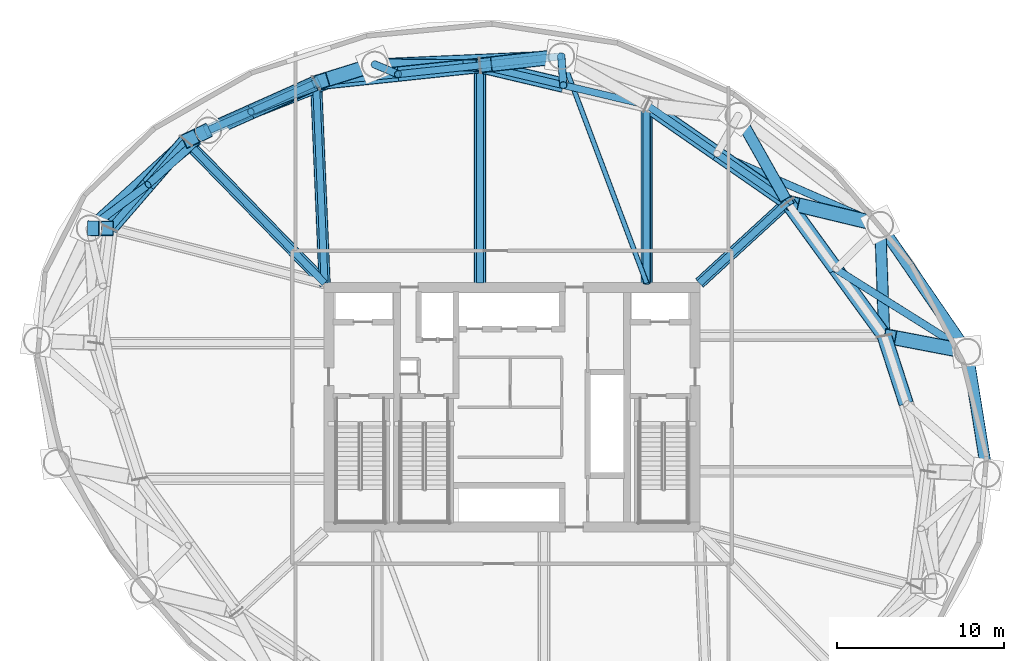
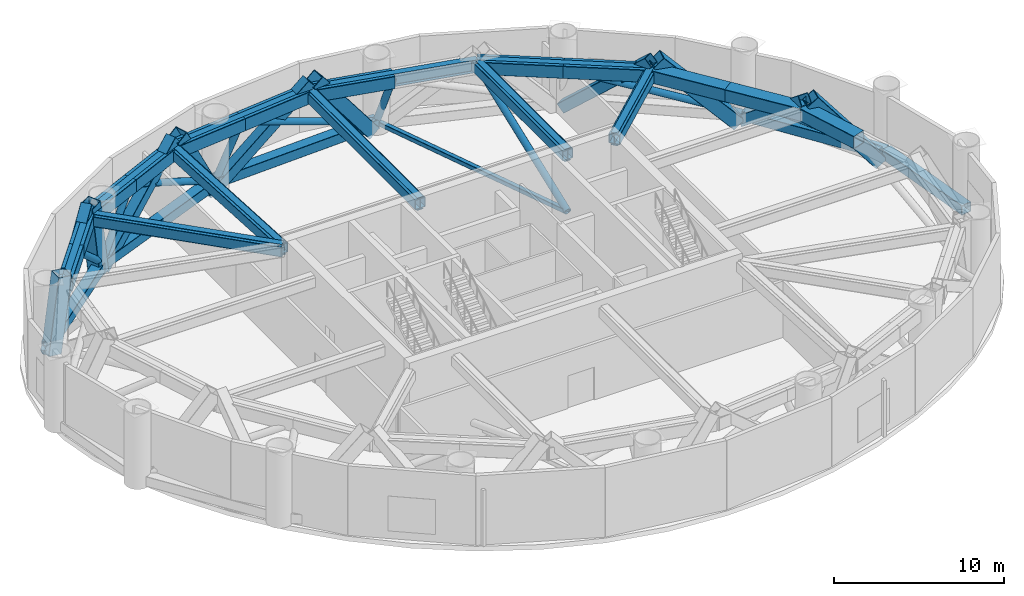
# One storey, part 3 of 13: 44 members, 10 beams.
"""IFC4 building model written with IfcOpenShell, lengths in metres."""

import ifcopenshell
import ifcopenshell.guid

model = None  # the IFC model being written
_history = None  # IfcOwnerHistory: only IFC2X3 demands one
_inside = {}  # id of a spatial element -> (the spatial element, [elements in it])
_under = {}  # id of a project, library or spatial element -> (it, [spatial elements below it])
_declared = {}  # id of a project -> (the project, [libraries it declares])
_typed = {}  # id of a type object -> (the type object, [elements of that type])
_made_of = {}  # id of a material, layer set ... -> (it, [elements and type objects made of it])


def new_model(schema):
    """Start an empty IFC model of exactly this schema.

    Asked for "IFC4X3", IfcOpenShell would pick the latest addendum, in which some entities
    have other attributes; the version numbers below select the first issue.
    IFC2X3 requires an IfcOwnerHistory on every rooted entity: one is made here for all.
    """
    global model, _history
    if schema == "IFC4X3":
        model = ifcopenshell.file(schema_version=(4, 3, 0, 0))
    else:
        model = ifcopenshell.file(schema=schema)
    _inside.clear()
    _under.clear()
    _declared.clear()
    _typed.clear()
    _made_of.clear()
    _history = None
    if model.schema == "IFC2X3":
        org = make("IfcOrganization", Name="unknown")
        user = make(
            "IfcPersonAndOrganization",
            ThePerson=make("IfcPerson", FamilyName="unknown"),
            TheOrganization=org,
        )
        app = make(
            "IfcApplication",
            ApplicationDeveloper=org,
            Version="unknown",
            ApplicationFullName="unknown",
            ApplicationIdentifier="unknown",
        )
        _history = make(
            "IfcOwnerHistory",
            OwningUser=user,
            OwningApplication=app,
            ChangeAction="ADDED",
            CreationDate=0,
        )
    return model


def make(cls, **values):
    """One entity of the class cls with the attributes given. An attribute that is None is left unset."""
    return model.create_entity(
        cls, **{name: value for name, value in values.items() if value is not None}
    )


def rooted(cls, **values):
    """An entity with a GlobalId (a new one), such as an element, a storey or a relation."""
    return make(cls, GlobalId=ifcopenshell.guid.new(), OwnerHistory=_history, **values)


def si_unit(unit_type, name, prefix=None):
    """IfcSIUnit, for example si_unit("LENGTHUNIT", "METRE", prefix="MILLI")."""
    return make("IfcSIUnit", UnitType=unit_type, Prefix=prefix, Name=name)


def assignment(units):
    """IfcUnitAssignment: the units of a project."""
    return None if units is None else make("IfcUnitAssignment", Units=units)


def point(xyz):
    """IfcCartesianPoint."""
    return None if xyz is None else make("IfcCartesianPoint", Coordinates=xyz)


def direction(xyz):
    """IfcDirection."""
    return None if xyz is None else make("IfcDirection", DirectionRatios=xyz)


def frame(location, z_axis=None, x_axis=None):
    """IfcAxis2Placement3D, a coordinate frame: its origin and axes. An axis left out is left unset."""
    return make(
        "IfcAxis2Placement3D",
        Location=point(location),
        Axis=direction(z_axis),
        RefDirection=direction(x_axis),
    )


def frame_2d(location, x_axis=None):
    """IfcAxis2Placement2D, a coordinate frame in the plane: its origin and x axis."""
    return make(
        "IfcAxis2Placement2D", Location=point(location), RefDirection=direction(x_axis)
    )


def origin():
    """The frame at (0, 0, 0) with its axes left unset."""
    return frame((0.0, 0.0, 0.0))


def origin_2d():
    """The frame at (0, 0) in the plane with its x axis left unset."""
    return frame_2d((0.0, 0.0))


def place(relative_to, where):
    """IfcLocalPlacement: puts the frame where relative to a parent placement (None: the world)."""
    return make(
        "IfcLocalPlacement", PlacementRelTo=relative_to, RelativePlacement=where
    )


def context(
    kind, dimensions, precision=None, world=None, true_north=None, identifier=None
):
    """IfcGeometricRepresentationContext, for example the 3D "Model" context."""
    return make(
        "IfcGeometricRepresentationContext",
        ContextIdentifier=identifier,
        ContextType=kind,
        CoordinateSpaceDimension=dimensions,
        Precision=precision,
        WorldCoordinateSystem=world,
        TrueNorth=true_north,
    )


def subcontext(parent, identifier, kind, view, scale=None):
    """IfcGeometricRepresentationSubContext, for example "Body" below "Model"."""
    return make(
        "IfcGeometricRepresentationSubContext",
        ContextIdentifier=identifier,
        ContextType=kind,
        ParentContext=parent,
        TargetScale=scale,
        TargetView=view,
    )


def project(units=None, contexts=None):
    """IfcProject with its units and contexts."""
    return rooted(
        "IfcProject",
        Name="project",
        RepresentationContexts=contexts,
        UnitsInContext=assignment(units),
    )


def spatial(cls, under=None, at=None, **own):
    """A site, building, storey or space (cls), placed at a placement, below another one or the project."""
    s = rooted(cls, ObjectPlacement=at, **own)
    if under is not None:
        _under.setdefault(under.id(), (under, []))[1].append(s)
    return s


def profile(cls, at=None, kind="AREA", **sizes):
    """A parametric profile (cls). Its sizes go by their IFC names, for example OverallWidth=200.0."""
    return make(cls, ProfileType=kind, Position=at, **sizes)


def hollow_rectangle(**sizes):
    """IfcRectangleHollowProfileDef."""
    return profile("IfcRectangleHollowProfileDef", **sizes)


def hollow_circle(**sizes):
    """IfcCircleHollowProfileDef."""
    return profile("IfcCircleHollowProfileDef", **sizes)


def i_section(**sizes):
    """IfcIShapeProfileDef."""
    return profile("IfcIShapeProfileDef", **sizes)


def extrude(swept, where, along, depth):
    """IfcExtrudedAreaSolid: the profile swept, set in the frame where, extruded along a direction by depth."""
    return make(
        "IfcExtrudedAreaSolid",
        SweptArea=swept,
        Position=where,
        ExtrudedDirection=direction(along),
        Depth=depth,
    )


def shape(context_of_items, identifier, shape_type, items):
    """IfcShapeRepresentation: the items that make up one representation, for example the "Body"."""
    return make(
        "IfcShapeRepresentation",
        ContextOfItems=context_of_items,
        RepresentationIdentifier=identifier,
        RepresentationType=shape_type,
        Items=items,
    )


def material(Name=None, Category=None):
    """IfcMaterial."""
    return make("IfcMaterial", Name=Name, Category=Category)


def material_profile(
    of_material, cross_section, Name=None, Category=None, Priority=None
):
    """IfcMaterialProfile: a cross section and its material."""
    return make(
        "IfcMaterialProfile",
        Name=Name,
        Material=of_material,
        Profile=cross_section,
        Priority=Priority,
        Category=Category,
    )


def profile_set(profiles, Name=None, composite=None):
    """IfcMaterialProfileSet."""
    return make(
        "IfcMaterialProfileSet",
        Name=Name,
        MaterialProfiles=profiles,
        CompositeProfile=composite,
    )


def made_of(thing, what):
    """Note that an element or type object is made of a material, layer set ...; save() writes the relation."""
    if what is not None:
        _made_of.setdefault(what.id(), (what, []))[1].append(thing)
    return thing


def type_object(cls, material=None, **own):
    """A type object (cls), such as IfcWallType, which elements share."""
    return made_of(rooted(cls, **own), material)


def element(
    cls,
    number,
    at=None,
    inside=None,
    cuts=None,
    type_object=None,
    material=None,
    context=None,
    identifier="Body",
    shape_type=None,
    held_by="IfcProductDefinitionShape",
    body=None,
    shapes=None,
    **own,
):
    """One element of the class cls, such as IfcWall. Its Tag is "e" and its number.

    at: its placement. inside: the storey or other place that contains it. cuts: it is an
    opening in that element (IfcRelVoidsElement). A single representation is given by context,
    identifier, shape_type and body (its items); several are given by shapes. held_by: the class
    of the entity that holds the representations. save() writes the other relations.
    """
    e = rooted(cls, Tag="e%d" % number, ObjectPlacement=at, **own)
    if body is not None:
        shapes = [shape(context, identifier, shape_type, body)]
    if shapes is not None:
        e.Representation = make(held_by, Representations=shapes)
    if inside is not None:
        _inside.setdefault(inside.id(), (inside, []))[1].append(e)
    if cuts is not None:
        rooted(
            "IfcRelVoidsElement", RelatingBuildingElement=cuts, RelatedOpeningElement=e
        )
    if type_object is not None:
        _typed.setdefault(type_object.id(), (type_object, []))[1].append(e)
    return made_of(e, material)


def aggregate(whole, parts):
    """IfcRelAggregates: a whole, such as a stair, and the parts it consists of."""
    return rooted("IfcRelAggregates", RelatingObject=whole, RelatedObjects=parts)


def save(model, path):
    """Write the relations noted so far, then the file.

    IfcRelAggregates (storeys below a building ...), IfcRelContainedInSpatialStructure (elements
    in a storey), IfcRelDefinesByType, IfcRelAssociatesMaterial and IfcRelDeclares: one each for
    every whole, place, type object, material and project.
    """
    for whole, parts in _under.values():
        aggregate(whole, parts)
    for where, things in _inside.values():
        rooted(
            "IfcRelContainedInSpatialStructure",
            RelatedElements=things,
            RelatingStructure=where,
        )
    for kind, things in _typed.values():
        rooted("IfcRelDefinesByType", RelatedObjects=things, RelatingType=kind)
    for what, things in _made_of.values():
        rooted("IfcRelAssociatesMaterial", RelatedObjects=things, RelatingMaterial=what)
    for by, libraries in _declared.values():
        rooted("IfcRelDeclares", RelatingContext=by, RelatedDefinitions=libraries)
    model.write(path)


model = new_model("IFC4")

# Units and contexts
model_context = context("Model", 3, precision=1e-05, world=origin(), true_north=direction((0.0, 1.0)))
body_context = subcontext(model_context, "Body", "Model", "MODEL_VIEW")
ifc_project = project(units=[si_unit("LENGTHUNIT", "METRE"), si_unit("AREAUNIT", "SQUARE_METRE"), si_unit("VOLUMEUNIT", "CUBIC_METRE"), si_unit("PLANEANGLEUNIT", "RADIAN"), si_unit("MASSUNIT", "GRAM", prefix="KILO")], contexts=[model_context])

# Site, building, storey
site_placement = place(None, origin())
site = spatial("IfcSite", under=ifc_project, at=site_placement, CompositionType="ELEMENT")
building_placement = place(site_placement, origin())
building = spatial("IfcBuilding", under=site, at=building_placement, Name="Bramvorn Convention Spire", CompositionType="ELEMENT")
storey_placement = place(building_placement, frame((0.0, 0.0, 97.39990234375)))
storey = spatial("IfcBuildingStorey", under=building, at=storey_placement, Name="L23", CompositionType="ELEMENT", Elevation=97.39990234375)

# Beams
ifc_material = material(Name="Steel CSA G40.21 Grade 350 (350W)", Category="steel")
ifc_material_profile_1 = material_profile(ifc_material, i_section(OverallWidth=0.41796875, OverallDepth=0.912109375, WebThickness=0.019287109375, FlangeThickness=0.031982421875, FilletRadius=0.02392578125, at=origin_2d()))
ifc_profile_set_1 = profile_set([ifc_material_profile_1], Name="Steel CSA G40.21 Grade 350 (350W) - W920X342")
beam_type = type_object("IfcBeamType", Name="BM-W920X342", PredefinedType="BEAM", material=ifc_profile_set_1)
beam_1_placement = place(storey_placement, frame((54.534912109375, 38.299072265625, 4.524169921875), z_axis=(-0.822033166673, 0.569439613032, 0.0), x_axis=(-0.569439613032, -0.822033166673, 0.0)))
element("IfcBeam", 1, at=beam_1_placement, inside=storey, type_object=beam_type, Name="L23 step-in transfer ring girder 04", PredefinedType="BEAM", context=body_context, shape_type="SweptSolid", body=[
    extrude(i_section(OverallWidth=0.41796875, OverallDepth=0.912109375, WebThickness=0.019287109375, FlangeThickness=0.031982421875, FilletRadius=0.02392578125, at=origin_2d()), origin(), (0.0, 0.0, 1.0), 10.281982421875),
])
beam_2_placement = place(storey_placement, frame((49.25, 33.449951171875, 4.524169921875), z_axis=(0.736833323746, 0.676074443399, 0.0), x_axis=(-0.676074443399, 0.736833323746, 0.0)))
element("IfcBeam", 2, at=beam_2_placement, inside=storey, type_object=beam_type, Name="L23 step-in radial transfer girder MC04", PredefinedType="BEAM", context=body_context, shape_type="SweptSolid", body=[
    extrude(i_section(OverallWidth=0.41796875, OverallDepth=0.912109375, WebThickness=0.019287109375, FlangeThickness=0.031982421875, FilletRadius=0.02392578125, at=origin_2d()), origin(), (0.0, 0.0, 1.0), 7.17236328125),
])
beam_3_placement = place(storey_placement, frame((46.082763671875, 44.154052734375, 4.524169921875), z_axis=(-0.97322750491, 0.229843911572, 0.0), x_axis=(-0.229843911572, -0.97322750491, 0.0)))
element("IfcBeam", 3, at=beam_3_placement, inside=storey, type_object=beam_type, Name="L23 step-in transfer ring girder 05", PredefinedType="BEAM", context=body_context, shape_type="SweptSolid", body=[
    extrude(i_section(OverallWidth=0.41796875, OverallDepth=0.912109375, WebThickness=0.019287109375, FlangeThickness=0.031982421875, FilletRadius=0.02392578125, at=origin_2d()), origin(), (0.0, 0.0, 1.0), 10.2822265625),
])
beam_4_placement = place(storey_placement, frame((46.082763671875, 33.449951171875, 4.524169921875), z_axis=(0.0, 1.0, 0.0), x_axis=(-1.0, 0.0, 0.0)))
element("IfcBeam", 4, at=beam_4_placement, inside=storey, type_object=beam_type, Name="L23 step-in radial transfer girder MC05", PredefinedType="BEAM", context=body_context, shape_type="SweptSolid", body=[
    extrude(i_section(OverallWidth=0.41796875, OverallDepth=0.912109375, WebThickness=0.019287109375, FlangeThickness=0.031982421875, FilletRadius=0.02392578125, at=origin_2d()), origin(), (0.0, 0.0, 1.0), 10.7041015625),
])
beam_5_placement = place(storey_placement, frame((36.075927734375, 46.517333984375, 4.524169921875), z_axis=(-0.994473491975, -0.104987969596, 0.0), x_axis=(0.104987969596, -0.994473491975, 0.0)))
element("IfcBeam", 5, at=beam_5_placement, inside=storey, type_object=beam_type, Name="L23 step-in transfer ring girder 06", PredefinedType="BEAM", context=body_context, shape_type="SweptSolid", body=[
    extrude(i_section(OverallWidth=0.41796875, OverallDepth=0.912109375, WebThickness=0.019287109375, FlangeThickness=0.031982421875, FilletRadius=0.02392578125, at=origin_2d()), origin(), (0.0, 0.0, 1.0), 9.892333984375),
])
beam_6_placement = place(storey_placement, frame((36.075927734375, 33.449951171875, 4.524169921875), z_axis=(0.0, 1.0, 0.0), x_axis=(-1.0, 0.0, 0.0)))
element("IfcBeam", 6, at=beam_6_placement, inside=storey, type_object=beam_type, Name="L23 step-in radial transfer girder MC06", PredefinedType="BEAM", context=body_context, shape_type="SweptSolid", body=[
    extrude(i_section(OverallWidth=0.41796875, OverallDepth=0.912109375, WebThickness=0.019287109375, FlangeThickness=0.031982421875, FilletRadius=0.02392578125, at=origin_2d()), origin(), (0.0, 0.0, 1.0), 13.0673828125),
])
beam_7_placement = place(storey_placement, frame((26.23828125, 45.478759765625, 4.524169921875), z_axis=(-0.913169534701, -0.407579931908, 0.0), x_axis=(0.407579931908, -0.913169534701, 0.0)))
element("IfcBeam", 7, at=beam_7_placement, inside=storey, type_object=beam_type, Name="L23 step-in transfer ring girder 07", PredefinedType="BEAM", context=body_context, shape_type="SweptSolid", body=[
    extrude(i_section(OverallWidth=0.41796875, OverallDepth=0.912109375, WebThickness=0.019287109375, FlangeThickness=0.031982421875, FilletRadius=0.02392578125, at=origin_2d()), origin(), (0.0, 0.0, 1.0), 8.5615234375),
])
beam_8_placement = place(storey_placement, frame((26.75, 33.449951171875, 4.524169921875), z_axis=(-0.042502657955, 0.999096353745, 0.0), x_axis=(-0.999096353745, -0.042502657955, 0.0)))
element("IfcBeam", 8, at=beam_8_placement, inside=storey, type_object=beam_type, Name="L23 step-in radial transfer girder MC07", PredefinedType="BEAM", context=body_context, shape_type="SweptSolid", body=[
    extrude(i_section(OverallWidth=0.41796875, OverallDepth=0.912109375, WebThickness=0.019287109375, FlangeThickness=0.031982421875, FilletRadius=0.02392578125, at=origin_2d()), origin(), (0.0, 0.0, 1.0), 12.039794921875),
])
beam_9_placement = place(storey_placement, frame((18.420166015625, 41.9892578125, 4.524169921875), z_axis=(-0.653824993824, -0.756645807132, 0.0), x_axis=(0.756645807132, -0.653824993824, 0.0)))
element("IfcBeam", 9, at=beam_9_placement, inside=storey, type_object=beam_type, Name="L23 step-in transfer ring girder 08", PredefinedType="BEAM", context=body_context, shape_type="SweptSolid", body=[
    extrude(i_section(OverallWidth=0.41796875, OverallDepth=0.912109375, WebThickness=0.019287109375, FlangeThickness=0.031982421875, FilletRadius=0.02392578125, at=origin_2d()), origin(), (0.0, 0.0, 1.0), 6.9404296875),
])
beam_10_placement = place(storey_placement, frame((26.75, 33.449951171875, 4.524169921875), z_axis=(-0.698272445638, 0.715832097397, 0.0), x_axis=(-0.715832097397, -0.698272445638, 0.0)))
element("IfcBeam", 10, at=beam_10_placement, inside=storey, type_object=beam_type, Name="L23 step-in radial transfer girder MC08", PredefinedType="BEAM", context=body_context, shape_type="SweptSolid", body=[
    extrude(i_section(OverallWidth=0.41796875, OverallDepth=0.912109375, WebThickness=0.019287109375, FlangeThickness=0.031982421875, FilletRadius=0.02392578125, at=origin_2d()), origin(), (0.0, 0.0, 1.0), 11.92919921875),
])

# Members
ifc_material_profile_2 = material_profile(ifc_material, hollow_rectangle(XDim=0.699951171875, YDim=0.699951171875, WallThickness=0.034912109375, InnerFilletRadius=0.0009765625, OuterFilletRadius=0.034912109375, at=origin_2d()))
ifc_profile_set_2 = profile_set([ifc_material_profile_2], Name="Steel CSA G40.21 Grade 350 (350W) - BOX700X700X35")
member_type_1 = type_object("IfcMemberType", Name="MBR-BOX700X700X35", PredefinedType="CHORD", material=ifc_profile_set_2)
member_1_placement = place(storey_placement, frame((66.519775390625, 21.99169921875, 0.4501953125), z_axis=(-0.158699222824, 0.987326975563, 0.0), x_axis=(-0.987326975563, -0.158699222824, 0.0)))
element("IfcMember", 11, at=member_1_placement, inside=storey, type_object=member_type_1, Name="L23 belt truss bottom chord 1", PredefinedType="CHORD", context=body_context, shape_type="SweptSolid", body=[
    extrude(hollow_rectangle(XDim=0.699951171875, YDim=0.699951171875, WallThickness=0.034912109375, InnerFilletRadius=0.0009765625, OuterFilletRadius=0.034912109375, at=origin_2d()), origin(), (0.0, 0.0, 1.0), 7.442626953125),
])
member_2_placement = place(storey_placement, frame((65.338623046875, 29.340087890625, 0.4501953125), z_axis=(-0.566129730789, 0.824316157743, 0.0), x_axis=(-0.824316157743, -0.566129730789, 0.0)))
element("IfcMember", 12, at=member_2_placement, inside=storey, type_object=member_type_1, Name="L23 belt truss bottom chord 2", PredefinedType="CHORD", context=body_context, shape_type="SweptSolid", body=[
    extrude(hollow_rectangle(XDim=0.699951171875, YDim=0.699951171875, WallThickness=0.034912109375, InnerFilletRadius=0.0009765625, OuterFilletRadius=0.034912109375, at=origin_2d()), origin(), (0.0, 0.0, 1.0), 9.244140625),
])
member_3_placement = place(storey_placement, frame((60.105224609375, 36.960205078125, 0.0), z_axis=(0.028017943988, -0.776765496867, 0.629166399048), x_axis=(0.999350111052, 0.036046574608, 0.0)))
element("IfcMember", 13, at=member_3_placement, inside=storey, type_object=member_type_1, Name="L23 step-in secondary transfer strut MC03", PredefinedType="CHORD", context=body_context, shape_type="SweptSolid", body=[
    extrude(hollow_rectangle(XDim=0.699951171875, YDim=0.699951171875, WallThickness=0.034912109375, InnerFilletRadius=0.0009765625, OuterFilletRadius=0.034912109375, at=origin_2d()), origin(), (0.0, 0.0, 1.0), 8.5830078125),
])
member_4_placement = place(storey_placement, frame((51.59033203125, 43.509033203125, 0.0), z_axis=(0.365298140963, -0.64633631773, 0.669930319207), x_axis=(0.870575755044, 0.49203440401, 0.0)))
element("IfcMember", 14, at=member_4_placement, inside=storey, type_object=member_type_1, Name="L23 step-in secondary transfer strut MC04", PredefinedType="CHORD", context=body_context, shape_type="SweptSolid", body=[
    extrude(hollow_rectangle(XDim=0.699951171875, YDim=0.699951171875, WallThickness=0.034912109375, InnerFilletRadius=0.0009765625, OuterFilletRadius=0.034912109375, at=origin_2d()), origin(), (0.0, 0.0, 1.0), 8.060791015625),
])
member_5_placement = place(storey_placement, frame((49.25, 33.449951171875, 4.530029296875), z_axis=(0.736833323746, 0.676074443399, 0.0), x_axis=(-0.676074443399, 0.736833323746, 0.0)))
element("IfcMember", 15, at=member_5_placement, inside=storey, type_object=member_type_1, Name="L23 outrigger top tie MC04", PredefinedType="CHORD", context=body_context, shape_type="SweptSolid", body=[
    extrude(hollow_rectangle(XDim=0.699951171875, YDim=0.699951171875, WallThickness=0.034912109375, InnerFilletRadius=0.0009765625, OuterFilletRadius=0.034912109375, at=origin_2d()), origin(), (0.0, 0.0, 1.0), 7.17236328125),
])
member_6_placement = place(storey_placement, frame((40.9609375, 47.06884765625, 0.4501953125), z_axis=(-0.999035582762, -0.043907907889, 0.0), x_axis=(0.043907907889, -0.999035582762, 0.0)))
element("IfcMember", 16, at=member_6_placement, inside=storey, type_object=member_type_1, Name="L23 belt truss bottom chord 5", PredefinedType="CHORD", context=body_context, shape_type="SweptSolid", body=[
    extrude(hollow_rectangle(XDim=0.699951171875, YDim=0.699951171875, WallThickness=0.034912109375, InnerFilletRadius=0.0009765625, OuterFilletRadius=0.034912109375, at=origin_2d()), origin(), (0.0, 0.0, 1.0), 11.20947265625),
])
member_7_placement = place(storey_placement, frame((46.082763671875, 33.449951171875, 4.530029296875), z_axis=(0.0, 1.0, 0.0), x_axis=(-1.0, 0.0, 0.0)))
element("IfcMember", 17, at=member_7_placement, inside=storey, type_object=member_type_1, Name="L23 outrigger top tie MC05", PredefinedType="CHORD", context=body_context, shape_type="SweptSolid", body=[
    extrude(hollow_rectangle(XDim=0.699951171875, YDim=0.699951171875, WallThickness=0.034912109375, InnerFilletRadius=0.0009765625, OuterFilletRadius=0.034912109375, at=origin_2d()), origin(), (0.0, 0.0, 1.0), 10.7041015625),
])
member_8_placement = place(storey_placement, frame((29.76220703125, 46.57666015625, 0.4501953125), z_axis=(-0.93000950609, -0.367535465749, 0.0), x_axis=(0.367535465749, -0.93000950609, 0.0)))
element("IfcMember", 18, at=member_8_placement, inside=storey, type_object=member_type_1, Name="L23 belt truss bottom chord 6", PredefinedType="CHORD", context=body_context, shape_type="SweptSolid", body=[
    extrude(hollow_rectangle(XDim=0.699951171875, YDim=0.699951171875, WallThickness=0.034912109375, InnerFilletRadius=0.0009765625, OuterFilletRadius=0.034912109375, at=origin_2d()), origin(), (0.0, 0.0, 1.0), 10.74169921875),
])
member_9_placement = place(storey_placement, frame((29.76220703125, 46.57666015625, 0.0), z_axis=(0.759927540273, -0.007140574312, 0.649968572882), x_axis=(0.009395973598, 0.999955856866, 0.0)))
element("IfcMember", 19, at=member_9_placement, inside=storey, type_object=member_type_1, Name="L23 step-in secondary transfer strut MC06", PredefinedType="CHORD", context=body_context, shape_type="SweptSolid", body=[
    extrude(hollow_rectangle(XDim=0.699951171875, YDim=0.699951171875, WallThickness=0.034912109375, InnerFilletRadius=0.0009765625, OuterFilletRadius=0.034912109375, at=origin_2d()), origin(), (0.0, 0.0, 1.0), 8.308349609375),
])
member_10_placement = place(storey_placement, frame((36.075927734375, 33.449951171875, 4.530029296875), z_axis=(0.0, 1.0, 0.0), x_axis=(-1.0, 0.0, 0.0)))
element("IfcMember", 20, at=member_10_placement, inside=storey, type_object=member_type_1, Name="L23 outrigger top tie MC06", PredefinedType="CHORD", context=body_context, shape_type="SweptSolid", body=[
    extrude(hollow_rectangle(XDim=0.699951171875, YDim=0.699951171875, WallThickness=0.034912109375, InnerFilletRadius=0.0009765625, OuterFilletRadius=0.034912109375, at=origin_2d()), origin(), (0.0, 0.0, 1.0), 13.0673828125),
])
member_11_placement = place(storey_placement, frame((19.772216796875, 42.628662109375, 0.4501953125), z_axis=(-0.771417680101, -0.636329130896, 0.0), x_axis=(0.636329130896, -0.771417680101, 0.0)))
element("IfcMember", 21, at=member_11_placement, inside=storey, type_object=member_type_1, Name="L23 belt truss bottom chord 7", PredefinedType="CHORD", context=body_context, shape_type="SweptSolid", body=[
    extrude(hollow_rectangle(XDim=0.699951171875, YDim=0.699951171875, WallThickness=0.034912109375, InnerFilletRadius=0.0009765625, OuterFilletRadius=0.034912109375, at=origin_2d()), origin(), (0.0, 0.0, 1.0), 9.244140625),
])
member_12_placement = place(storey_placement, frame((19.772216796875, 42.628662109375, 0.0), z_axis=(0.727053776821, 0.320469163323, 0.607200396055), x_axis=(-0.403334814558, 0.915052472466, 0.0)))
element("IfcMember", 22, at=member_12_placement, inside=storey, type_object=member_type_1, Name="L23 step-in secondary transfer strut MC07", PredefinedType="CHORD", context=body_context, shape_type="SweptSolid", body=[
    extrude(hollow_rectangle(XDim=0.699951171875, YDim=0.699951171875, WallThickness=0.034912109375, InnerFilletRadius=0.0009765625, OuterFilletRadius=0.034912109375, at=origin_2d()), origin(), (0.0, 0.0, 1.0), 8.8935546875),
])
member_13_placement = place(storey_placement, frame((26.75, 33.449951171875, 4.530029296875), z_axis=(-0.042502657955, 0.999096353745, 0.0), x_axis=(-0.999096353745, -0.042502657955, 0.0)))
element("IfcMember", 23, at=member_13_placement, inside=storey, type_object=member_type_1, Name="L23 outrigger top tie MC07", PredefinedType="CHORD", context=body_context, shape_type="SweptSolid", body=[
    extrude(hollow_rectangle(XDim=0.699951171875, YDim=0.699951171875, WallThickness=0.034912109375, InnerFilletRadius=0.0009765625, OuterFilletRadius=0.034912109375, at=origin_2d()), origin(), (0.0, 0.0, 1.0), 12.039794921875),
])
member_14_placement = place(storey_placement, frame((12.64111328125, 36.746337890625, 0.0), z_axis=(0.609005829752, 0.552507295591, 0.569076082476), x_axis=(-0.671917134484, 0.740626332497, 0.0)))
element("IfcMember", 24, at=member_14_placement, inside=storey, type_object=member_type_1, Name="L23 step-in secondary transfer strut MC08", PredefinedType="CHORD", context=body_context, shape_type="SweptSolid", body=[
    extrude(hollow_rectangle(XDim=0.699951171875, YDim=0.699951171875, WallThickness=0.034912109375, InnerFilletRadius=0.0009765625, OuterFilletRadius=0.034912109375, at=origin_2d()), origin(), (0.0, 0.0, 1.0), 9.4892578125),
])
member_15_placement = place(storey_placement, frame((26.75, 33.449951171875, 4.530029296875), z_axis=(-0.698272445638, 0.715832097397, 0.0), x_axis=(-0.715832097397, -0.698272445638, 0.0)))
element("IfcMember", 25, at=member_15_placement, inside=storey, type_object=member_type_1, Name="L23 outrigger top tie MC08", PredefinedType="CHORD", context=body_context, shape_type="SweptSolid", body=[
    extrude(hollow_rectangle(XDim=0.699951171875, YDim=0.699951171875, WallThickness=0.034912109375, InnerFilletRadius=0.0009765625, OuterFilletRadius=0.034912109375, at=origin_2d()), origin(), (0.0, 0.0, 1.0), 11.92919921875),
])
ifc_material_profile_3 = material_profile(ifc_material, hollow_rectangle(XDim=0.89990234375, YDim=0.89990234375, WallThickness=0.044921875, InnerFilletRadius=0.0009765625, OuterFilletRadius=0.044921875, at=origin_2d()))
ifc_profile_set_3 = profile_set([ifc_material_profile_3], Name="Steel CSA G40.21 Grade 350 (350W) - BOX900X900X45")
member_type_2 = type_object("IfcMemberType", Name="MBR-BOX900X900X45", PredefinedType="CHORD", material=ifc_profile_set_3)
member_16_placement = place(storey_placement, frame((61.664794921875, 26.220703125, 4.530029296875), z_axis=(-0.308140662068, 0.951340807692, 0.0), x_axis=(-0.951340807692, -0.308140662068, 0.0)))
element("IfcMember", 26, at=member_16_placement, inside=storey, type_object=member_type_2, Name="L23 belt truss top chord 2B", PredefinedType="CHORD", context=body_context, shape_type="SweptSolid", body=[
    extrude(hollow_rectangle(XDim=0.89990234375, YDim=0.89990234375, WallThickness=0.044921875, InnerFilletRadius=0.0009765625, OuterFilletRadius=0.044921875, at=origin_2d()), origin(), (0.0, 0.0, 1.0), 4.28076171875),
])
member_17_placement = place(storey_placement, frame((60.345703125, 30.293212890625, 4.530029296875), z_axis=(-0.587417188481, 0.809284280508, 0.0), x_axis=(-0.809284280508, -0.587417188481, 0.0)))
element("IfcMember", 27, at=member_17_placement, inside=storey, type_object=member_type_2, Name="L23 belt truss top chord 3A", PredefinedType="CHORD", context=body_context, shape_type="SweptSolid", body=[
    extrude(hollow_rectangle(XDim=0.89990234375, YDim=0.89990234375, WallThickness=0.044921875, InnerFilletRadius=0.0009765625, OuterFilletRadius=0.044921875, at=origin_2d()), origin(), (0.0, 0.0, 1.0), 4.9462890625),
])
member_18_placement = place(storey_placement, frame((57.440185546875, 34.296142578125, 4.530029296875), z_axis=(-0.587384860074, 0.809307745024, 0.0), x_axis=(-0.809307745024, -0.587384860074, 0.0)))
element("IfcMember", 28, at=member_18_placement, inside=storey, type_object=member_type_2, Name="L23 belt truss top chord 3B", PredefinedType="CHORD", context=body_context, shape_type="SweptSolid", body=[
    extrude(hollow_rectangle(XDim=0.89990234375, YDim=0.89990234375, WallThickness=0.044921875, InnerFilletRadius=0.0009765625, OuterFilletRadius=0.044921875, at=origin_2d()), origin(), (0.0, 0.0, 1.0), 4.946044921875),
])
member_19_placement = place(storey_placement, frame((64.896484375, 29.424560546875, 0.0), z_axis=(-0.610385116464, 0.116501662491, 0.783490505517), x_axis=(-0.187481426363, -0.982268148098, 0.0)))
element("IfcMember", 29, at=member_19_placement, inside=storey, type_object=member_type_2, Name="L23 step-in mega-column transfer strut MC03", PredefinedType="CHORD", context=body_context, shape_type="SweptSolid", body=[
    extrude(hollow_rectangle(XDim=0.89990234375, YDim=0.89990234375, WallThickness=0.044921875, InnerFilletRadius=0.0009765625, OuterFilletRadius=0.044921875, at=origin_2d()), origin(), (0.0, 0.0, 1.0), 6.892333984375),
])
for number, where, z_axis, x_axis, name in (
    (30, (54.534912109375, 38.299072265625, 4.530029296875), (-0.822033166673, 0.569439613032, 0.0), (-0.569439613032, -0.822033166673, 0.0), "L23 belt truss top chord 4A"),
    (31, (50.308837890625, 41.2265625, 4.530029296875), (-0.822033166673, 0.569439613032, 0.0), (-0.569439613032, -0.822033166673, 0.0), "L23 belt truss top chord 4B"),
):
    element("IfcMember", number, at=place(storey_placement, frame(where, z_axis=z_axis, x_axis=x_axis)), inside=storey, type_object=member_type_2, Name=name, PredefinedType="CHORD", context=body_context, shape_type="SweptSolid", body=[
        extrude(hollow_rectangle(XDim=0.89990234375, YDim=0.89990234375, WallThickness=0.044921875, InnerFilletRadius=0.0009765625, OuterFilletRadius=0.044921875, at=origin_2d()), origin(), (0.0, 0.0, 1.0), 5.14111328125),
    ])
member_20_placement = place(storey_placement, frame((59.667724609375, 37.0654296875, 0.0), z_axis=(-0.655501723454, 0.157539459592, 0.738578911979), x_axis=(-0.233680158574, -0.97231352119, 0.0)))
element("IfcMember", 32, at=member_20_placement, inside=storey, type_object=member_type_2, Name="L23 step-in mega-column transfer strut MC04", PredefinedType="CHORD", context=body_context, shape_type="SweptSolid", body=[
    extrude(hollow_rectangle(XDim=0.89990234375, YDim=0.89990234375, WallThickness=0.044921875, InnerFilletRadius=0.0009765625, OuterFilletRadius=0.044921875, at=origin_2d()), origin(), (0.0, 0.0, 1.0), 7.3115234375),
])
member_21_placement = place(storey_placement, frame((41.079345703125, 45.335693359375, 4.530029296875), z_axis=(-0.97322750491, 0.229843911572, 0.0), x_axis=(-0.229843911572, -0.97322750491, 0.0)))
element("IfcMember", 33, at=member_21_placement, inside=storey, type_object=member_type_2, Name="L23 belt truss top chord 5B", PredefinedType="CHORD", context=body_context, shape_type="SweptSolid", body=[
    extrude(hollow_rectangle(XDim=0.89990234375, YDim=0.89990234375, WallThickness=0.044921875, InnerFilletRadius=0.0009765625, OuterFilletRadius=0.044921875, at=origin_2d()), origin(), (0.0, 0.0, 1.0), 5.14111328125),
])
member_22_placement = place(storey_placement, frame((36.075927734375, 46.517333984375, 4.530029296875), z_axis=(-0.994473763997, -0.104985392894, 0.0), x_axis=(0.104985392894, -0.994473763997, 0.0)))
element("IfcMember", 34, at=member_22_placement, inside=storey, type_object=member_type_2, Name="L23 belt truss top chord 6A", PredefinedType="CHORD", context=body_context, shape_type="SweptSolid", body=[
    extrude(hollow_rectangle(XDim=0.89990234375, YDim=0.89990234375, WallThickness=0.044921875, InnerFilletRadius=0.0009765625, OuterFilletRadius=0.044921875, at=origin_2d()), origin(), (0.0, 0.0, 1.0), 4.9462890625),
])
member_23_placement = place(storey_placement, frame((31.156982421875, 45.998046875, 4.530029296875), z_axis=(-0.994473219932, -0.104990546424, 0.0), x_axis=(0.104990546424, -0.994473219932, 0.0)))
element("IfcMember", 35, at=member_23_placement, inside=storey, type_object=member_type_2, Name="L23 belt truss top chord 6B", PredefinedType="CHORD", context=body_context, shape_type="SweptSolid", body=[
    extrude(hollow_rectangle(XDim=0.89990234375, YDim=0.89990234375, WallThickness=0.044921875, InnerFilletRadius=0.0009765625, OuterFilletRadius=0.044921875, at=origin_2d()), origin(), (0.0, 0.0, 1.0), 4.946044921875),
])
member_24_placement = place(storey_placement, frame((40.513916015625, 47.018310546875, 0.0), z_axis=(-0.602373008158, -0.067993037571, 0.795313589652), x_axis=(0.112163042055, -0.993689816792, 0.0)))
element("IfcMember", 36, at=member_24_placement, inside=storey, type_object=member_type_2, Name="L23 step-in mega-column transfer strut MC06", PredefinedType="CHORD", context=body_context, shape_type="SweptSolid", body=[
    extrude(hollow_rectangle(XDim=0.89990234375, YDim=0.89990234375, WallThickness=0.044921875, InnerFilletRadius=0.0009765625, OuterFilletRadius=0.044921875, at=origin_2d()), origin(), (0.0, 0.0, 1.0), 6.7900390625),
])
member_25_placement = place(storey_placement, frame((26.23828125, 45.478759765625, 4.530029296875), z_axis=(-0.913163658577, -0.407593096918, 0.0), x_axis=(0.407593096918, -0.913163658577, 0.0)))
element("IfcMember", 37, at=member_25_placement, inside=storey, type_object=member_type_2, Name="L23 belt truss top chord 7A", PredefinedType="CHORD", context=body_context, shape_type="SweptSolid", body=[
    extrude(hollow_rectangle(XDim=0.89990234375, YDim=0.89990234375, WallThickness=0.044921875, InnerFilletRadius=0.0009765625, OuterFilletRadius=0.044921875, at=origin_2d()), origin(), (0.0, 0.0, 1.0), 4.281005859375),
])
member_26_placement = place(storey_placement, frame((22.3291015625, 43.73388671875, 4.530029296875), z_axis=(-0.913175411078, -0.407566765821, 0.0), x_axis=(0.407566765821, -0.913175411078, 0.0)))
element("IfcMember", 38, at=member_26_placement, inside=storey, type_object=member_type_2, Name="L23 belt truss top chord 7B", PredefinedType="CHORD", context=body_context, shape_type="SweptSolid", body=[
    extrude(hollow_rectangle(XDim=0.89990234375, YDim=0.89990234375, WallThickness=0.044921875, InnerFilletRadius=0.0009765625, OuterFilletRadius=0.044921875, at=origin_2d()), origin(), (0.0, 0.0, 1.0), 4.280517578125),
])
member_27_placement = place(storey_placement, frame((29.332763671875, 46.44287109375, 0.0), z_axis=(-0.450625211467, -0.140416824695, 0.881600836055), x_axis=(0.297495966172, -0.954723075091, 0.0)))
element("IfcMember", 39, at=member_27_placement, inside=storey, type_object=member_type_2, Name="L23 step-in mega-column transfer strut MC07", PredefinedType="CHORD", context=body_context, shape_type="SweptSolid", body=[
    extrude(hollow_rectangle(XDim=0.89990234375, YDim=0.89990234375, WallThickness=0.044921875, InnerFilletRadius=0.0009765625, OuterFilletRadius=0.044921875, at=origin_2d()), origin(), (0.0, 0.0, 1.0), 6.12548828125),
])
for number, where, z_axis, x_axis, name in (
    (40, (18.420166015625, 41.9892578125, 4.530029296875), (-0.653804854149, -0.756663209553, 0.0), (0.756663209553, -0.653804854149, 0.0), "L23 belt truss top chord 8A"),
    (41, (16.1513671875, 39.363525390625, 4.530029296875), (-0.65384513211, -0.756628404976, 0.0), (0.756628404976, -0.65384513211, 0.0), "L23 belt truss top chord 8B"),
):
    element("IfcMember", number, at=place(storey_placement, frame(where, z_axis=z_axis, x_axis=x_axis)), inside=storey, type_object=member_type_2, Name=name, PredefinedType="CHORD", context=body_context, shape_type="SweptSolid", body=[
        extrude(hollow_rectangle(XDim=0.89990234375, YDim=0.89990234375, WallThickness=0.044921875, InnerFilletRadius=0.0009765625, OuterFilletRadius=0.044921875, at=origin_2d()), origin(), (0.0, 0.0, 1.0), 3.47021484375),
    ])
member_28_placement = place(storey_placement, frame((19.43408203125, 42.46875, 0.0), z_axis=(-0.136095480188, -0.064360424128, 0.988602931454), x_axis=(0.427511970451, -0.904009687515, 0.0)))
element("IfcMember", 42, at=member_28_placement, inside=storey, type_object=member_type_2, Name="L23 step-in mega-column transfer strut MC08", PredefinedType="CHORD", context=body_context, shape_type="SweptSolid", body=[
    extrude(hollow_rectangle(XDim=0.89990234375, YDim=0.89990234375, WallThickness=0.044921875, InnerFilletRadius=0.0009765625, OuterFilletRadius=0.044921875, at=origin_2d()), origin(), (0.0, 0.0, 1.0), 5.46240234375),
])
member_29_placement = place(storey_placement, frame((12.951416015625, 36.744140625, 0.0), z_axis=(0.125409144189, -0.000852208061, 0.992104742603), x_axis=(0.006795265138, 0.999976911919, 0.0)))
element("IfcMember", 43, at=member_29_placement, inside=storey, type_object=member_type_2, Name="L23 step-in mega-column transfer strut MC09", PredefinedType="CHORD", context=body_context, shape_type="SweptSolid", body=[
    extrude(hollow_rectangle(XDim=0.89990234375, YDim=0.89990234375, WallThickness=0.044921875, InnerFilletRadius=0.0009765625, OuterFilletRadius=0.044921875, at=origin_2d()), origin(), (0.0, 0.0, 1.0), 5.443115234375),
])
ifc_material_profile_4 = material_profile(ifc_material, hollow_circle(Radius=0.228515625, WallThickness=0.01904296875, at=origin_2d()))
ifc_profile_set_4 = profile_set([ifc_material_profile_4], Name="Steel CSA G40.21 Grade 350 (350W) - CHS457X19")
member_type_3 = type_object("IfcMemberType", Name="MBR-CHS457X19", PredefinedType="BRACE", material=ifc_profile_set_4)
member_30_placement = place(storey_placement, frame((65.338623046875, 29.340087890625, 0.4501953125), z_axis=(-0.776026085014, 0.486935259823, 0.400846065365), x_axis=(-0.531504331973, -0.847055573793, 0.0)))
element("IfcMember", 44, at=member_30_placement, inside=storey, type_object=member_type_3, Name="L23 ring belt diagonal 3A", PredefinedType="BRACE", context=body_context, shape_type="SweptSolid", body=[
    extrude(hollow_circle(Radius=0.228515625, WallThickness=0.01904296875, at=origin_2d()), origin(), (0.0, 0.0, 1.0), 10.177978515625),
])
member_31_placement = place(storey_placement, frame((60.105224609375, 36.960205078125, 0.4501953125), z_axis=(-0.856515872572, 0.373015373404, 0.356707290698), x_axis=(-0.399281636642, -0.916828323428, 0.0)))
element("IfcMember", 45, at=member_31_placement, inside=storey, type_object=member_type_3, Name="L23 ring belt diagonal 4A", PredefinedType="BRACE", context=body_context, shape_type="SweptSolid", body=[
    extrude(hollow_circle(Radius=0.228515625, WallThickness=0.01904296875, at=origin_2d()), origin(), (0.0, 0.0, 1.0), 11.4375),
])
member_32_placement = place(storey_placement, frame((40.9609375, 47.06884765625, 0.4501953125), z_axis=(0.026702880952, -0.390853096657, 0.920065656887), x_axis=(0.997674362332, 0.068160595257, 0.0)))
element("IfcMember", 46, at=member_32_placement, inside=storey, type_object=member_type_3, Name="L23 ring belt diagonal 5B", PredefinedType="BRACE", context=body_context, shape_type="SweptSolid", body=[
    extrude(hollow_circle(Radius=0.228515625, WallThickness=0.01904296875, at=origin_2d()), origin(), (0.0, 0.0, 1.0), 4.434326171875),
])
member_33_placement = place(storey_placement, frame((46.082763671875, 33.449951171875, 0.4501953125), z_axis=(0.0, 0.934427286678, 0.356153963773), x_axis=(-1.0, 0.0, 0.0)))
element("IfcMember", 47, at=member_33_placement, inside=storey, type_object=member_type_3, Name="L23 outrigger web diagonal MC05", PredefinedType="BRACE", context=body_context, shape_type="SweptSolid", body=[
    extrude(hollow_circle(Radius=0.228515625, WallThickness=0.01904296875, at=origin_2d()), origin(), (0.0, 0.0, 1.0), 11.455322265625),
])
member_34_placement = place(storey_placement, frame((40.9609375, 47.06884765625, 0.4501953125), z_axis=(-0.918590440692, -0.100329647954, 0.382263736196), x_axis=(0.108575611155, -0.994088193604, 0.0)))
element("IfcMember", 48, at=member_34_placement, inside=storey, type_object=member_type_3, Name="L23 ring belt diagonal 6A", PredefinedType="BRACE", context=body_context, shape_type="SweptSolid", body=[
    extrude(hollow_circle(Radius=0.228515625, WallThickness=0.01904296875, at=origin_2d()), origin(), (0.0, 0.0, 1.0), 10.6728515625),
])
member_35_placement = place(storey_placement, frame((29.76220703125, 46.57666015625, 0.4501953125), z_axis=(0.320614833882, -0.133004928461, 0.937825046211), x_axis=(0.383179896638, 0.923673733963, 0.0)))
element("IfcMember", 49, at=member_35_placement, inside=storey, type_object=member_type_3, Name="L23 ring belt diagonal 6B", PredefinedType="BRACE", context=body_context, shape_type="SweptSolid", body=[
    extrude(hollow_circle(Radius=0.228515625, WallThickness=0.01904296875, at=origin_2d()), origin(), (0.0, 0.0, 1.0), 4.350341796875),
])
member_36_placement = place(storey_placement, frame((29.76220703125, 46.57666015625, 0.4501953125), z_axis=(-0.831163538082, -0.317876510459, 0.456203569759), x_axis=(0.357214611532, -0.93402233448, 0.0)))
element("IfcMember", 50, at=member_36_placement, inside=storey, type_object=member_type_3, Name="L23 ring belt diagonal 7A", PredefinedType="BRACE", context=body_context, shape_type="SweptSolid", body=[
    extrude(hollow_circle(Radius=0.228515625, WallThickness=0.01904296875, at=origin_2d()), origin(), (0.0, 0.0, 1.0), 8.943115234375),
])
member_37_placement = place(storey_placement, frame((19.772216796875, 42.628662109375, 0.4501953125), z_axis=(0.517581365682, 0.223726806306, 0.825866724139), x_axis=(-0.396773447609, 0.917916570976, 0.0)))
element("IfcMember", 51, at=member_37_placement, inside=storey, type_object=member_type_3, Name="L23 ring belt diagonal 7B", PredefinedType="BRACE", context=body_context, shape_type="SweptSolid", body=[
    extrude(hollow_circle(Radius=0.228515625, WallThickness=0.01904296875, at=origin_2d()), origin(), (0.0, 0.0, 1.0), 4.93994140625),
])
member_38_placement = place(storey_placement, frame((19.772216796875, 42.628662109375, 0.4501953125), z_axis=(-0.569547540589, -0.513595091891, 0.641744248587), x_axis=(0.669686474074, -0.742643943248, 0.0)))
element("IfcMember", 52, at=member_38_placement, inside=storey, type_object=member_type_3, Name="L23 ring belt diagonal 8A", PredefinedType="BRACE", context=body_context, shape_type="SweptSolid", body=[
    extrude(hollow_circle(Radius=0.228515625, WallThickness=0.01904296875, at=origin_2d()), origin(), (0.0, 0.0, 1.0), 6.357421875),
])
member_39_placement = place(storey_placement, frame((12.64111328125, 36.746337890625, 0.4501953125), z_axis=(0.586538283152, 0.437313283864, 0.681711034202), x_axis=(-0.59773156589, 0.801696311042, 0.0)))
element("IfcMember", 53, at=member_39_placement, inside=storey, type_object=member_type_3, Name="L23 ring belt diagonal 8B", PredefinedType="BRACE", context=body_context, shape_type="SweptSolid", body=[
    extrude(hollow_circle(Radius=0.228515625, WallThickness=0.01904296875, at=origin_2d()), origin(), (0.0, 0.0, 1.0), 5.984619140625),
])
ifc_material_profile_5 = material_profile(ifc_material, hollow_rectangle(XDim=0.3046875, YDim=0.3046875, WallThickness=0.015869140625, InnerFilletRadius=0.015869140625, OuterFilletRadius=0.03173828125, at=origin_2d()))
ifc_profile_set_5 = profile_set([ifc_material_profile_5], Name="Steel CSA G40.21 Grade 350 (350W) - HSS305X305X16")
member_type_4 = type_object("IfcMemberType", Name="MBR-HSS305X305X16", PredefinedType="POST", material=ifc_profile_set_5)
member_40_placement = place(storey_placement, frame((46.082763671875, 33.449951171875, 0.4501953125), z_axis=(-0.352011433474, 0.935995700152, 0.0), x_axis=(-0.935995700152, -0.352011433474, 0.0)))
element("IfcMember", 54, at=member_40_placement, inside=storey, type_object=member_type_4, Name="L23 outrigger bottom chord MC05", PredefinedType="POST", context=body_context, shape_type="SweptSolid", body=[
    extrude(hollow_rectangle(XDim=0.3046875, YDim=0.3046875, WallThickness=0.015869140625, InnerFilletRadius=0.015869140625, OuterFilletRadius=0.03173828125, at=origin_2d()), origin(), (0.0, 0.0, 1.0), 14.550048828125),
])

save(model, "model.ifc")
